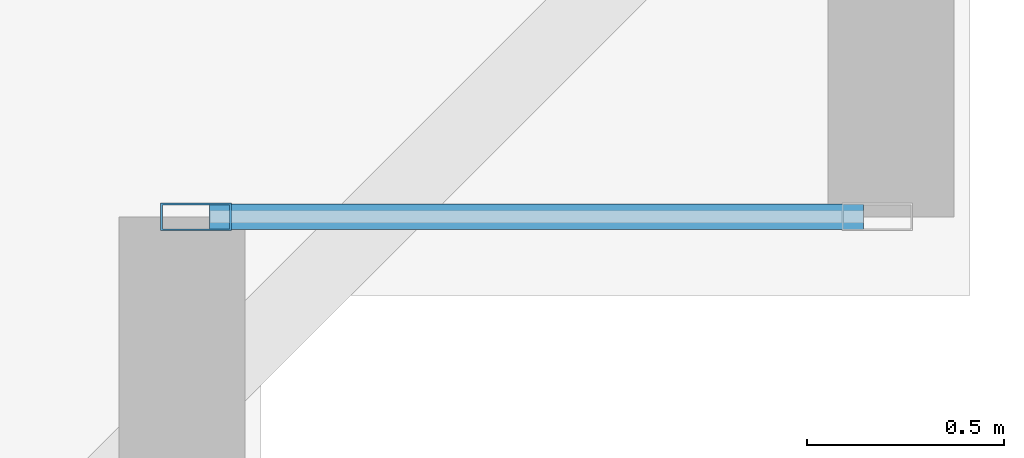
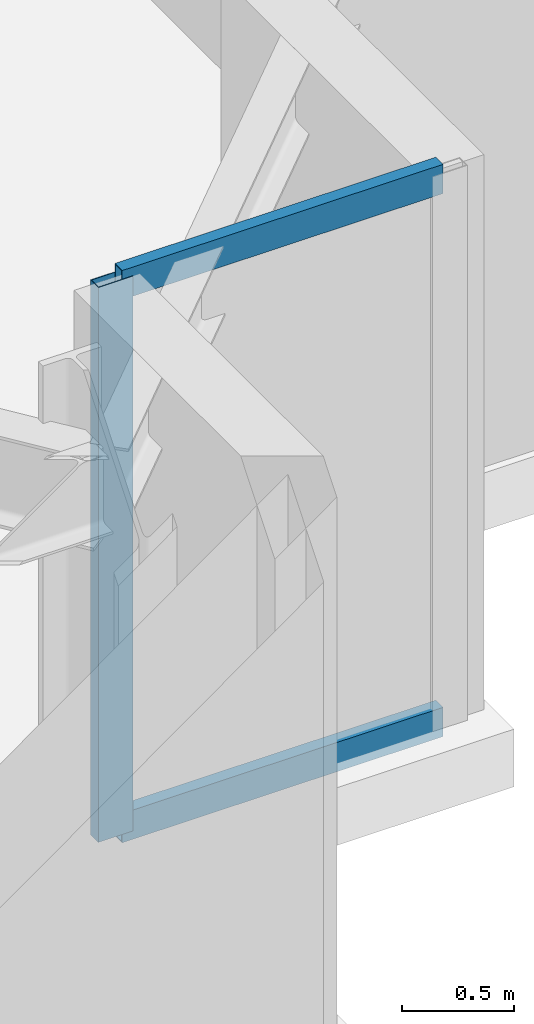
# One storey, part 6 of 22: 3 members, 1 element without a shape of its own.
"""IFC4 building model written with IfcOpenShell, lengths in metres."""

from ifc_helpers import new_model, si_unit, direction, frame, origin, origin_2d, place, context, subcontext, project, spatial, hollow_rectangle, extrude, material, layer, layer_set, material_profile, profile_set, type_object, element, aggregate, save


model = new_model("IFC4")

# Units and contexts
model_context = context("Model", 3, precision=1e-05, world=origin(), true_north=direction((0.0, 1.0)))
body_context = subcontext(model_context, "Body", "Model", "MODEL_VIEW")
ifc_project = project(units=[si_unit("LENGTHUNIT", "METRE"), si_unit("AREAUNIT", "SQUARE_METRE"), si_unit("VOLUMEUNIT", "CUBIC_METRE"), si_unit("PLANEANGLEUNIT", "RADIAN"), si_unit("MASSUNIT", "GRAM", prefix="KILO")], contexts=[model_context])

# Site, building, storey
site_placement = place(None, origin())
site = spatial("IfcSite", under=ifc_project, at=site_placement, CompositionType="ELEMENT")
building_placement = place(site_placement, origin())
building = spatial("IfcBuilding", under=site, at=building_placement, Name="Qobustan Lattice House", CompositionType="ELEMENT")
storey_placement = place(building_placement, frame((0.0, 0.0, 60.5)))
storey = spatial("IfcBuildingStorey", under=building, at=storey_placement, Name="L16", CompositionType="ELEMENT", Elevation=60.5)

# Curtain wall, members
ifc_material_1 = material(Name="Anodised aluminium and low-E glazing", Category="aluminium")
ifc_layer = layer(ifc_material_1, 0.219970703125)
ifc_layer_set = layer_set([ifc_layer], Name="Anodised aluminium and low-E glazing")
curtain_wall_type = type_object("IfcCurtainWallType", Name="CW-FAC-01", PredefinedType="USERDEFINED", material=ifc_layer_set)
curtain_wall_placement = place(storey_placement, origin())
curtain_wall = element("IfcCurtainWall", 1, at=curtain_wall_placement, inside=storey, type_object=curtain_wall_type, Name="L16 serrated corner faceted glazing 18", ObjectType="CURTAIN WALL", PredefinedType="USERDEFINED")
ifc_material_2 = material(Name="Anodised aluminium EN AW-6063 T6", Category="aluminium")
ifc_material_profile_1 = material_profile(ifc_material_2, hollow_rectangle(XDim=0.070068359375, YDim=0.179931640625, WallThickness=0.00439453125, at=origin_2d()), Name="CWM-180x70")
ifc_profile_set_1 = profile_set([ifc_material_profile_1], Name="Anodised aluminium EN AW-6063 T6")
member_type_1 = type_object("IfcMemberType", Name="CWM-STD-180", PredefinedType="MULLION", material=ifc_profile_set_1)
member_1_placement = place(storey_placement, frame((29.235107421875, -17.60009765625, 0.0), z_axis=(0.0, 0.0, 1.0), x_axis=(0.0, -1.0, 0.0)))
member_1 = element("IfcMember", 2, at=member_1_placement, type_object=member_type_1, Name="CW-F1 mullion 2", PredefinedType="MULLION", context=body_context, shape_type="SweptSolid", body=[
    extrude(hollow_rectangle(XDim=0.070068359375, YDim=0.179931640625, WallThickness=0.00439453125, at=origin_2d()), origin(), (0.0, 0.0, 1.0), 3.034912109375),
])
ifc_material_3 = material(Name="Anodised aluminium EN AW-6063 T6", Category="aluminium")
ifc_material_profile_2 = material_profile(ifc_material_3, hollow_rectangle(XDim=0.06494140625, YDim=0.159912109375, WallThickness=0.00390625, at=origin_2d()), Name="CWT-160x65")
ifc_profile_set_2 = profile_set([ifc_material_profile_2], Name="Anodised aluminium EN AW-6063 T6")
member_type_2 = type_object("IfcMemberType", Name="CWT-HOR-160", PredefinedType="USERDEFINED", material=ifc_profile_set_2)
member_2_placement = place(storey_placement, frame((30.929931640625, -17.60009765625, 0.032470703125), z_axis=(-1.0, 0.0, 0.0), x_axis=(0.0, -1.0, 0.0)))
member_2 = element("IfcMember", 3, at=member_2_placement, type_object=member_type_2, Name="CW-F1 transom 1.1", ObjectType="TRANSOM", PredefinedType="USERDEFINED", context=body_context, shape_type="SweptSolid", body=[
    extrude(hollow_rectangle(XDim=0.06494140625, YDim=0.159912109375, WallThickness=0.00390625, at=origin_2d()), origin(), (0.0, 0.0, 1.0), 1.659912109375),
])
member_3_placement = place(storey_placement, frame((30.929931640625, -17.60009765625, 3.00244140625), z_axis=(-1.0, 0.0, 0.0), x_axis=(0.0, -1.0, 0.0)))
member_3 = element("IfcMember", 4, at=member_3_placement, type_object=member_type_2, Name="CW-F1 transom 1.2", ObjectType="TRANSOM", PredefinedType="USERDEFINED", context=body_context, shape_type="SweptSolid", body=[
    extrude(hollow_rectangle(XDim=0.06494140625, YDim=0.159912109375, WallThickness=0.00390625, at=origin_2d()), origin(), (0.0, 0.0, 1.0), 1.659912109375),
])
aggregate(curtain_wall, [member_1, member_2, member_3])

save(model, "model.ifc")
